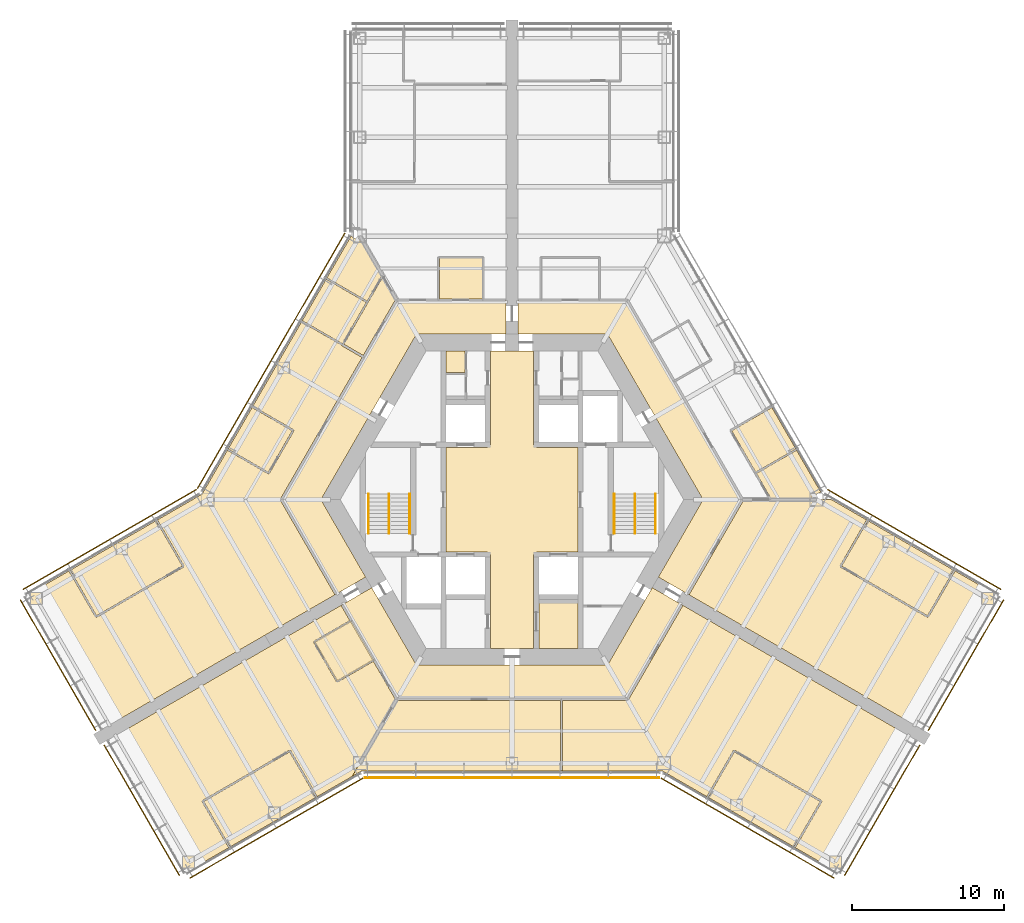
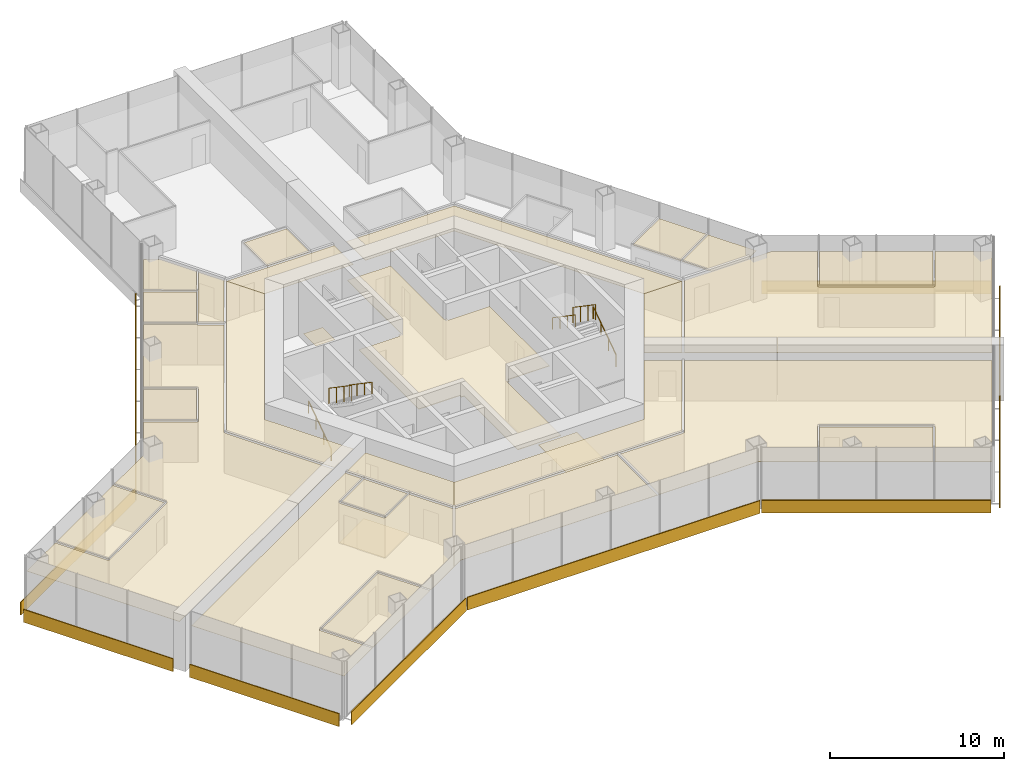
# One storey, part 17 of 18: 27 coverings, 10 shading devices, 6 railings.
"""IFC4 building model written with IfcOpenShell, lengths in metres."""

from ifc_helpers import new_model, si_unit, direction, frame, origin, origin_2d, place, context, subcontext, project, spatial, polyline, rectangle, circle, outline, extrude, material, layer, layer_set, type_object, element, save


model = new_model("IFC4")

# Units and contexts
model_context = context("Model", 3, precision=1e-05, world=origin(), true_north=direction((0.0, 1.0)))
body_context = subcontext(model_context, "Body", "Model", "MODEL_VIEW")
ifc_project = project(units=[si_unit("LENGTHUNIT", "METRE"), si_unit("AREAUNIT", "SQUARE_METRE"), si_unit("VOLUMEUNIT", "CUBIC_METRE"), si_unit("PLANEANGLEUNIT", "RADIAN"), si_unit("MASSUNIT", "GRAM", prefix="KILO")], contexts=[model_context])

# Site, building, storey
site_placement = place(None, origin())
site = spatial("IfcSite", under=ifc_project, at=site_placement, CompositionType="ELEMENT")
building_placement = place(site_placement, origin())
building = spatial("IfcBuilding", under=site, at=building_placement, Name="Kasaneha Research Tower", CompositionType="ELEMENT")
storey_placement = place(building_placement, frame((0.0, 0.0, 61.199951171875)))
storey = spatial("IfcBuildingStorey", under=building, at=storey_placement, Name="L15", CompositionType="ELEMENT", Elevation=61.199951171875)

# Covering
ifc_material_1 = material(Name="Aluminium panel ceiling", Category="aluminium")
ifc_layer_1 = layer(ifc_material_1, 0.0400390625)
ifc_layer_set_1 = layer_set([ifc_layer_1], Name="Lift lobby ceiling 40")
covering_type_1 = type_object("IfcCoveringType", Name="Lift lobby ceiling 40", PredefinedType="CEILING", material=ifc_layer_set_1)
covering_1_placement = place(storey_placement, frame((0.0, 0.0, 2.699951171875)))
element("IfcCovering", 1, at=covering_1_placement, inside=storey, type_object=covering_type_1, Name="Ceiling L15-01", PredefinedType="CEILING", context=body_context, shape_type="SweptSolid", body=[
    extrude(outline(polyline([(1.425048828125, 9.77490234375), (1.425048828125, 3.60009765625), (1.60009765625, 3.60009765625), (1.60009765625, 3.425048828125), (4.324951171875, 3.425048828125), (4.324951171875, -3.425048828125), (1.60009765625, -3.425048828125), (1.60009765625, -3.60009765625), (1.425048828125, -3.60009765625), (1.425048828125, -9.77490234375), (-1.425048828125, -9.77490234375), (-1.425048828125, -3.60009765625), (-1.60009765625, -3.60009765625), (-1.60009765625, -3.425048828125), (-4.324951171875, -3.425048828125), (-4.324951171875, 3.425048828125), (-1.60009765625, 3.425048828125), (-1.60009765625, 3.60009765625), (-1.425048828125, 3.60009765625), (-1.425048828125, 9.77490234375), (1.425048828125, 9.77490234375)])), origin(), (0.0, 0.0, 1.0), 0.0400390625),
])

# Railings
ifc_material_2 = material(Name="Steel", Category="steel")
railing_type_1 = type_object("IfcRailingType", Name="Stair balustrade 1100", PredefinedType="GUARDRAIL", material=ifc_material_2)
for number, where, name in (
    (2, (8.074951171875, 0.375, 2.12744140625), "Stair 1 balustrade L15"),
    (3, (-8.074951171875, 0.375, 2.12744140625), "Stair 2 balustrade L15"),
):
    element("IfcRailing", number, at=place(storey_placement, frame(where)), inside=storey, type_object=railing_type_1, Name=name, PredefinedType="GUARDRAIL", context=body_context, shape_type="SweptSolid", body=[
        extrude(circle(Radius=0.02392578125, at=origin_2d()), frame((0.0, 0.0, 1.076171875), z_axis=(0.0, -0.826240473404, 0.563317565952), x_axis=(1.0, 0.0, 0.0)), (0.0, 0.0, 1.0), 3.14697265625),
        extrude(circle(Radius=0.02099609375, at=origin_2d()), origin(), (0.0, 0.0, 1.0), 1.052001953125),
        extrude(circle(Radius=0.02099609375, at=origin_2d()), frame((0.0, -0.86669921875, 0.5908203125)), (0.0, 0.0, 1.0), 1.052001953125),
        extrude(circle(Radius=0.02099609375, at=origin_2d()), frame((0.0, -1.7333984375, 1.181884765625)), (0.0, 0.0, 1.0), 1.052001953125),
        extrude(circle(Radius=0.02099609375, at=origin_2d()), frame((0.0, -2.60009765625, 1.772705078125)), (0.0, 0.0, 1.0), 1.052001953125),
    ])
ifc_material_3 = material(Name="Steel", Category="steel")
railing_type_2 = type_object("IfcRailingType", Name="Stair handrail 850", PredefinedType="HANDRAIL", material=ifc_material_3)
railing_1_placement = place(storey_placement, frame((9.425048828125, -2.22509765625, 0.17724609375)))
element("IfcRailing", 4, at=railing_1_placement, inside=storey, type_object=railing_type_2, Name="Stair 1 handrail L15", PredefinedType="HANDRAIL", context=body_context, shape_type="SweptSolid", body=[
    extrude(circle(Radius=0.02392578125, at=origin_2d()), frame((0.0, 0.0, 0.826171875), z_axis=(0.0, 0.826240473404, 0.563317565952), x_axis=(-1.0, 0.0, 0.0)), (0.0, 0.0, 1.0), 3.14697265625),
    extrude(circle(Radius=0.02099609375, at=origin_2d()), origin(), (0.0, 0.0, 1.0), 0.802001953125),
    extrude(circle(Radius=0.02099609375, at=origin_2d()), frame((0.0, 0.86669921875, 0.5908203125)), (0.0, 0.0, 1.0), 0.802001953125),
    extrude(circle(Radius=0.02099609375, at=origin_2d()), frame((0.0, 1.7333984375, 1.181884765625)), (0.0, 0.0, 1.0), 0.802001953125),
    extrude(circle(Radius=0.02099609375, at=origin_2d()), frame((0.0, 2.60009765625, 1.772705078125)), (0.0, 0.0, 1.0), 0.802001953125),
])
railing_2_placement = place(storey_placement, frame((6.72509765625, 0.375, 2.12744140625)))
element("IfcRailing", 5, at=railing_2_placement, inside=storey, type_object=railing_type_2, Name="Stair 1 handrail L15", PredefinedType="HANDRAIL", context=body_context, shape_type="SweptSolid", body=[
    extrude(circle(Radius=0.02392578125, at=origin_2d()), frame((0.0, 0.0, 0.826171875), z_axis=(0.0, -0.826240473404, 0.563317565952), x_axis=(1.0, 0.0, 0.0)), (0.0, 0.0, 1.0), 3.14697265625),
    extrude(circle(Radius=0.02099609375, at=origin_2d()), origin(), (0.0, 0.0, 1.0), 0.802001953125),
    extrude(circle(Radius=0.02099609375, at=origin_2d()), frame((0.0, -0.86669921875, 0.5908203125)), (0.0, 0.0, 1.0), 0.802001953125),
    extrude(circle(Radius=0.02099609375, at=origin_2d()), frame((0.0, -1.7333984375, 1.181884765625)), (0.0, 0.0, 1.0), 0.802001953125),
    extrude(circle(Radius=0.02099609375, at=origin_2d()), frame((0.0, -2.60009765625, 1.772705078125)), (0.0, 0.0, 1.0), 0.802001953125),
])
railing_3_placement = place(storey_placement, frame((-9.425048828125, -2.22509765625, 0.17724609375)))
element("IfcRailing", 6, at=railing_3_placement, inside=storey, type_object=railing_type_2, Name="Stair 2 handrail L15", PredefinedType="HANDRAIL", context=body_context, shape_type="SweptSolid", body=[
    extrude(circle(Radius=0.02392578125, at=origin_2d()), frame((0.0, 0.0, 0.826171875), z_axis=(0.0, 0.826240473404, 0.563317565952), x_axis=(-1.0, 0.0, 0.0)), (0.0, 0.0, 1.0), 3.14697265625),
    extrude(circle(Radius=0.02099609375, at=origin_2d()), origin(), (0.0, 0.0, 1.0), 0.802001953125),
    extrude(circle(Radius=0.02099609375, at=origin_2d()), frame((0.0, 0.86669921875, 0.5908203125)), (0.0, 0.0, 1.0), 0.802001953125),
    extrude(circle(Radius=0.02099609375, at=origin_2d()), frame((0.0, 1.7333984375, 1.181884765625)), (0.0, 0.0, 1.0), 0.802001953125),
    extrude(circle(Radius=0.02099609375, at=origin_2d()), frame((0.0, 2.60009765625, 1.772705078125)), (0.0, 0.0, 1.0), 0.802001953125),
])
railing_4_placement = place(storey_placement, frame((-6.72509765625, 0.375, 2.12744140625)))
element("IfcRailing", 7, at=railing_4_placement, inside=storey, type_object=railing_type_2, Name="Stair 2 handrail L15", PredefinedType="HANDRAIL", context=body_context, shape_type="SweptSolid", body=[
    extrude(circle(Radius=0.02392578125, at=origin_2d()), frame((0.0, 0.0, 0.826171875), z_axis=(0.0, -0.826240473404, 0.563317565952), x_axis=(1.0, 0.0, 0.0)), (0.0, 0.0, 1.0), 3.14697265625),
    extrude(circle(Radius=0.02099609375, at=origin_2d()), origin(), (0.0, 0.0, 1.0), 0.802001953125),
    extrude(circle(Radius=0.02099609375, at=origin_2d()), frame((0.0, -0.86669921875, 0.5908203125)), (0.0, 0.0, 1.0), 0.802001953125),
    extrude(circle(Radius=0.02099609375, at=origin_2d()), frame((0.0, -1.7333984375, 1.181884765625)), (0.0, 0.0, 1.0), 0.802001953125),
    extrude(circle(Radius=0.02099609375, at=origin_2d()), frame((0.0, -2.60009765625, 1.772705078125)), (0.0, 0.0, 1.0), 0.802001953125),
])

# Coverings
ifc_material_4 = material(Name="Gypsum ceiling board", Category="gypsum")
ifc_layer_2 = layer(ifc_material_4, 0.02001953125)
ifc_layer_set_2 = layer_set([ifc_layer_2], Name="Suspended ceiling 20")
covering_type_2 = type_object("IfcCoveringType", Name="Suspended ceiling 20", PredefinedType="CEILING", material=ifc_layer_set_2)
covering_2_placement = place(storey_placement, frame((0.0, 0.0, 2.800048828125)))
element("IfcCovering", 8, at=covering_2_placement, inside=storey, type_object=covering_type_2, Name="Ceiling L15-27", PredefinedType="CEILING", context=body_context, shape_type="SweptSolid", body=[
    extrude(outline(polyline([(6.278564453125, 10.875), (0.39990234375, 10.875), (0.39990234375, 11.72509765625), (0.39990234375, 12.72509765625), (0.39990234375, 13.125), (0.419921875, 13.125), (0.419921875, 13.050048828125), (1.89501953125, 13.050048828125), (1.904541015625, 13.050048828125), (5.75244140625, 13.050048828125), (5.761962890625, 13.050048828125), (7.534423828125, 13.050048828125), (9.103759765625, 10.33154296875), (9.103759765625, 10.33154296875), (10.599365234375, 7.7412109375), (10.599365234375, 7.7412109375), (15.06884765625, 0.0), (12.557373046875, 0.0), (6.278564453125, 10.875)])), origin(), (0.0, 0.0, 1.0), 0.02001953125),
])
covering_3_placement = place(storey_placement, frame((0.0, 0.0, 2.800048828125)))
element("IfcCovering", 9, at=covering_3_placement, inside=storey, type_object=covering_type_2, Name="Ceiling L15-32", PredefinedType="CEILING", context=body_context, shape_type="SweptSolid", body=[
    extrude(outline(polyline([(18.679443359375, 3.287353515625), (18.662109375, 3.27734375), (18.63720703125, 3.320556640625), (16.0146484375, 1.812255859375), (14.43994140625, 4.530517578125), (17.081298828125, 6.055419921875), (17.05615234375, 6.098876953125), (17.05615234375, 6.098876953125), (18.679443359375, 3.287353515625)])), origin(), (0.0, 0.0, 1.0), 0.02001953125),
])
covering_4_placement = place(storey_placement, frame((0.0, 0.0, 2.800048828125)))
element("IfcCovering", 10, at=covering_4_placement, inside=storey, type_object=covering_type_2, Name="Ceiling L15-33", PredefinedType="CEILING", context=body_context, shape_type="SweptSolid", body=[
    extrude(outline(polyline([(20.28759765625, 0.501708984375), (19.41845703125, 0.0), (16.997802734375, 0.0), (16.986328125, 0.02001953125), (17.029541015625, 0.044921875), (16.064697265625, 1.7255859375), (18.68701171875, 3.23388671875), (18.662109375, 3.27734375), (18.679443359375, 3.287353515625), (20.28759765625, 0.501708984375)])), origin(), (0.0, 0.0, 1.0), 0.02001953125),
])
covering_5_placement = place(storey_placement, frame((0.0, 0.0, 2.800048828125)))
element("IfcCovering", 11, at=covering_5_placement, inside=storey, type_object=covering_type_2, Name="Ceiling L15-35", PredefinedType="CEILING", context=body_context, shape_type="SweptSolid", body=[
    extrude(outline(polyline([(-0.39990234375, 11.72509765625), (-0.39990234375, 10.875), (-6.278564453125, 10.875), (-7.534423828125, 13.050048828125), (-4.833984375, 13.050048828125), (-4.824462890625, 13.050048828125), (-1.904541015625, 13.050048828125), (-1.89501953125, 13.050048828125), (-0.419921875, 13.050048828125), (-0.419921875, 13.125), (-0.39990234375, 13.125), (-0.39990234375, 12.72509765625), (-0.39990234375, 11.72509765625)])), origin(), (0.0, 0.0, 1.0), 0.02001953125),
])
covering_6_placement = place(storey_placement, frame((0.0, 0.0, 2.800048828125)))
element("IfcCovering", 12, at=covering_6_placement, inside=storey, type_object=covering_type_2, Name="Ceiling L15-36", PredefinedType="CEILING", context=body_context, shape_type="SweptSolid", body=[
    extrude(outline(polyline([(-4.77880859375, 15.875), (-1.9501953125, 15.875), (-1.954345703125, 13.199951171875), (-4.774658203125, 13.199951171875), (-4.77880859375, 15.875)])), origin(), (0.0, 0.0, 1.0), 0.02001953125),
])
covering_7_placement = place(storey_placement, frame((0.0, 0.0, 2.800048828125)))
element("IfcCovering", 13, at=covering_7_placement, inside=storey, type_object=covering_type_2, Name="Ceiling L15-40", PredefinedType="CEILING", context=body_context, shape_type="SweptSolid", body=[
    extrude(outline(polyline([(-12.557373046875, 0.0), (-9.617919921875, -5.091064453125), (-11.566650390625, -6.216064453125), (-11.57666015625, -6.19873046875), (-11.51171875, -6.161376953125), (-15.06884765625, 0.0), (-9.676025390625, 9.3408203125), (-9.676025390625, 9.3408203125), (-7.534423828125, 13.050048828125), (-7.534423828125, 13.050048828125), (-6.278564453125, 10.875), (-12.557373046875, 0.0)])), origin(), (0.0, 0.0, 1.0), 0.02001953125),
])
covering_8_placement = place(storey_placement, frame((0.0, 0.0, 2.800048828125)))
element("IfcCovering", 14, at=covering_8_placement, inside=storey, type_object=covering_type_2, Name="Ceiling L15-41", PredefinedType="CEILING", context=body_context, shape_type="SweptSolid", body=[
    extrude(outline(polyline([(-23.34228515625, -1.352294921875), (-23.332275390625, -1.36962890625), (-23.37548828125, -1.39453125), (-21.660400390625, -4.364990234375), (-27.306640625, -7.625), (-29.03173828125, -4.63720703125), (-23.34228515625, -1.352294921875)])), origin(), (0.0, 0.0, 1.0), 0.02001953125),
])
covering_9_placement = place(storey_placement, frame((0.0, 0.0, 2.800048828125)))
element("IfcCovering", 15, at=covering_9_placement, inside=storey, type_object=covering_type_2, Name="Ceiling L15-42", PredefinedType="CEILING", context=body_context, shape_type="SweptSolid", body=[
    extrude(outline(polyline([(-12.211669921875, 14.489990234375), (-9.57666015625, 12.962890625), (-11.14501953125, 10.246337890625), (-13.767578125, 11.755126953125), (-13.79248046875, 11.711669921875), (-13.809814453125, 11.7216796875), (-12.211669921875, 14.489990234375)])), origin(), (0.0, 0.0, 1.0), 0.02001953125),
])
covering_10_placement = place(storey_placement, frame((0.0, 0.0, 2.800048828125)))
element("IfcCovering", 16, at=covering_10_placement, inside=storey, type_object=covering_type_2, Name="Ceiling L15-43", PredefinedType="CEILING", context=body_context, shape_type="SweptSolid", body=[
    extrude(outline(polyline([(-17.05615234375, 6.098876953125), (-17.05615234375, 6.098876953125), (-17.081298828125, 6.055419921875), (-14.439697265625, 4.530517578125), (-16.012939453125, 1.8056640625), (-18.63720703125, 3.320556640625), (-18.662109375, 3.27734375), (-18.679443359375, 3.287353515625), (-17.05615234375, 6.098876953125)])), origin(), (0.0, 0.0, 1.0), 0.02001953125),
])
covering_11_placement = place(storey_placement, frame((0.0, 0.0, 2.800048828125)))
element("IfcCovering", 17, at=covering_11_placement, inside=storey, type_object=covering_type_2, Name="Ceiling L15-44", PredefinedType="CEILING", context=body_context, shape_type="SweptSolid", body=[
    extrude(outline(polyline([(-10.578369140625, 17.318603515625), (-9.709228515625, 16.81689453125), (-8.498779296875, 14.720458984375), (-8.510498046875, 14.700439453125), (-8.5537109375, 14.7255859375), (-9.5263671875, 13.049560546875), (-12.16162109375, 14.576416015625), (-12.1865234375, 14.533203125), (-12.1865234375, 14.533203125), (-10.578369140625, 17.318603515625)])), origin(), (0.0, 0.0, 1.0), 0.02001953125),
])
covering_12_placement = place(storey_placement, frame((0.0, 0.0, 2.800048828125)))
element("IfcCovering", 18, at=covering_12_placement, inside=storey, type_object=covering_type_2, Name="Ceiling L15-45", PredefinedType="CEILING", context=body_context, shape_type="SweptSolid", body=[
    extrude(outline(polyline([(-15.15576171875, -0.000244140625), (-15.220458984375, -0.03759765625), (-11.6416015625, -6.236328125), (-11.576904296875, -6.198974609375), (-11.567138671875, -6.21630859375), (-26.891357421875, -15.063720703125), (-31.94140625, -6.31689453125), (-29.118408203125, -4.68701171875), (-27.368408203125, -7.71826171875), (-27.3251953125, -7.693359375), (-27.324951171875, -7.693603515625), (-27.32470703125, -7.693603515625), (-27.300048828125, -7.736572265625), (-21.567138671875, -4.4267578125), (-21.592041015625, -4.3837890625), (-21.592041015625, -4.3837890625), (-21.592041015625, -4.38330078125), (-21.548828125, -4.3583984375), (-23.288818359375, -1.344482421875), (-23.331787109375, -1.369384765625), (-23.341796875, -1.35205078125), (-20.365966796875, 0.365966796875), (-18.6796875, 3.286865234375), (-18.662353515625, 3.27685546875), (-18.68701171875, 3.23388671875), (-16.019775390625, 1.694091796875), (-15.99462890625, 1.7373046875), (-15.994384765625, 1.737060546875), (-15.994384765625, 1.737060546875), (-15.951416015625, 1.71240234375), (-14.328125, 4.523681640625), (-14.37109375, 4.548583984375), (-14.37109375, 4.548828125), (-14.371337890625, 4.549072265625), (-14.346435546875, 4.592041015625), (-17.03125, 6.14208984375), (-17.055908203125, 6.09912109375), (-17.055908203125, 6.09912109375), (-13.81005859375, 11.72119140625), (-13.792724609375, 11.711181640625), (-13.8173828125, 11.66845703125), (-11.151611328125, 10.135009765625), (-11.166748046875, 10.10888671875), (-9.84814453125, 9.34228515625), (-15.220458984375, 0.03759765625), (-15.15576171875, 0.000244140625), (-15.156005859375, 0.0), (-15.15576171875, -0.000244140625)])), origin(), (0.0, 0.0, 1.0), 0.02001953125),
])
covering_13_placement = place(storey_placement, frame((0.0, 0.0, 2.800048828125)))
element("IfcCovering", 19, at=covering_13_placement, inside=storey, type_object=covering_type_2, Name="Ceiling L15-46", PredefinedType="CEILING", context=body_context, shape_type="SweptSolid", body=[
    extrude(outline(polyline([(-7.577880859375, 13.12548828125), (-7.589599609375, 13.105224609375), (-7.654296875, 13.142578125), (-9.773193359375, 9.472412109375), (-11.04833984375, 10.213623046875), (-9.462646484375, 12.96044921875), (-8.469970703125, 14.67041015625), (-7.577880859375, 13.12548828125)])), origin(), (0.0, 0.0, 1.0), 0.02001953125),
])
covering_14_placement = place(storey_placement, frame((0.0, 0.0, 2.800048828125)))
element("IfcCovering", 20, at=covering_14_placement, inside=storey, type_object=covering_type_2, Name="Ceiling L15-47", PredefinedType="CEILING", context=body_context, shape_type="SweptSolid", body=[
    extrude(outline(polyline([(-9.218017578125, -5.783935546875), (-6.278564453125, -10.875), (-7.534423828125, -13.050048828125), (-7.534423828125, -13.050048828125), (-9.00390625, -10.5048828125), (-9.00390625, -10.5048828125), (-10.49951171875, -7.91455078125), (-10.499267578125, -7.91455078125), (-11.091552734375, -6.888671875), (-11.156494140625, -6.92626953125), (-11.16650390625, -6.908935546875), (-10.85693359375, -6.72998046875), (-9.218017578125, -5.783935546875)])), origin(), (0.0, 0.0, 1.0), 0.02001953125),
])
covering_15_placement = place(storey_placement, frame((0.0, 0.0, 2.800048828125)))
element("IfcCovering", 21, at=covering_15_placement, inside=storey, type_object=covering_type_2, Name="Ceiling L15-48", PredefinedType="CEILING", context=body_context, shape_type="SweptSolid", body=[
    extrude(outline(polyline([(-18.574951171875, -22.8486328125), (-18.5849609375, -22.831298828125), (-18.541748046875, -22.806396484375), (-20.256591796875, -19.835693359375), (-14.610595703125, -16.575927734375), (-12.885498046875, -19.563720703125), (-12.84228515625, -19.538818359375), (-12.84228515625, -19.538818359375), (-18.574951171875, -22.8486328125)])), origin(), (0.0, 0.0, 1.0), 0.02001953125),
])
covering_16_placement = place(storey_placement, frame((0.0, 0.0, 2.800048828125)))
element("IfcCovering", 22, at=covering_16_placement, inside=storey, type_object=covering_type_2, Name="Ceiling L15-49", PredefinedType="CEILING", context=body_context, shape_type="SweptSolid", body=[
    extrude(outline(polyline([(-12.923095703125, -9.366455078125), (-10.604248046875, -8.03271484375), (-9.15869140625, -10.53662109375), (-11.47314453125, -11.8779296875), (-12.923095703125, -9.366455078125)])), origin(), (0.0, 0.0, 1.0), 0.02001953125),
])
covering_17_placement = place(storey_placement, frame((0.0, 0.0, 2.800048828125)))
element("IfcCovering", 23, at=covering_17_placement, inside=storey, type_object=covering_type_2, Name="Ceiling L15-50", PredefinedType="CEILING", context=body_context, shape_type="SweptSolid", body=[
    extrude(outline(polyline([(-12.991943359375, -9.34814453125), (-12.991943359375, -9.348388671875), (-13.034912109375, -9.373046875), (-11.534912109375, -11.97119140625), (-11.491943359375, -11.946533203125), (-11.491943359375, -11.946533203125), (-11.491455078125, -11.9462890625), (-11.46630859375, -11.989501953125), (-9.108642578125, -10.623291015625), (-7.654296875, -13.142578125), (-7.589599609375, -13.105224609375), (-7.577880859375, -13.12548828125), (-10.5, -18.1865234375), (-12.841796875, -19.53857421875), (-12.841796875, -19.53857421875), (-12.798828125, -19.513916015625), (-14.548828125, -16.482666015625), (-14.59228515625, -16.5078125), (-14.6171875, -16.46435546875), (-20.35009765625, -19.774169921875), (-20.3251953125, -19.817138671875), (-20.325439453125, -19.817138671875), (-20.3251953125, -19.817626953125), (-20.368408203125, -19.842529296875), (-18.62841796875, -22.856201171875), (-18.58544921875, -22.83154296875), (-18.575439453125, -22.848876953125), (-21.44140625, -24.50341796875), (-26.491455078125, -15.756591796875), (-15.541259765625, -9.4345703125), (-11.1669921875, -6.9091796875), (-11.156982421875, -6.926513671875), (-11.221435546875, -6.963623046875), (-10.654296875, -7.946044921875), (-13.016357421875, -9.3046875), (-12.99169921875, -9.347900390625), (-12.991943359375, -9.34814453125)])), origin(), (0.0, 0.0, 1.0), 0.02001953125),
])
covering_18_placement = place(storey_placement, frame((0.0, 0.0, 2.800048828125)))
element("IfcCovering", 24, at=covering_18_placement, inside=storey, type_object=covering_type_2, Name="Ceiling L15-51", PredefinedType="CEILING", context=body_context, shape_type="SweptSolid", body=[
    extrude(outline(polyline([(15.06884765625, 0.0), (15.06884765625, 0.0), (11.51171875, -6.161376953125), (11.57666015625, -6.19873046875), (11.566650390625, -6.216064453125), (9.617919921875, -5.091064453125), (12.557373046875, 0.0), (15.06884765625, 0.0)])), origin(), (0.0, 0.0, 1.0), 0.02001953125),
])
covering_19_placement = place(storey_placement, frame((0.0, 0.0, 2.800048828125)))
element("IfcCovering", 25, at=covering_19_placement, inside=storey, type_object=covering_type_2, Name="Ceiling L15-52", PredefinedType="CEILING", context=body_context, shape_type="SweptSolid", body=[
    extrude(outline(polyline([(29.03173828125, -4.63720703125), (27.306640625, -7.625), (21.660400390625, -4.364990234375), (23.37548828125, -1.39453125), (23.332275390625, -1.36962890625), (23.34228515625, -1.352294921875), (29.03173828125, -4.63720703125)])), origin(), (0.0, 0.0, 1.0), 0.02001953125),
])
covering_20_placement = place(storey_placement, frame((0.0, 0.0, 2.800048828125)))
element("IfcCovering", 26, at=covering_20_placement, inside=storey, type_object=covering_type_2, Name="Ceiling L15-53", PredefinedType="CEILING", context=body_context, shape_type="SweptSolid", body=[
    extrude(outline(polyline([(16.93994140625, 0.0), (16.94287109375, -0.0048828125), (16.951416015625, 0.0), (21.0, 0.0), (23.341796875, -1.35205078125), (23.331787109375, -1.369384765625), (23.288818359375, -1.344482421875), (21.548828125, -4.3583984375), (21.592041015625, -4.38330078125), (21.591796875, -4.3837890625), (21.592041015625, -4.3837890625), (21.567138671875, -4.4267578125), (27.300048828125, -7.736572265625), (27.324951171875, -7.693115234375), (27.368408203125, -7.71826171875), (29.118408203125, -4.68701171875), (31.94140625, -6.31689453125), (26.891357421875, -15.063720703125), (11.567138671875, -6.21630859375), (11.576904296875, -6.198974609375), (11.6416015625, -6.236328125), (15.208740234375, -0.0576171875), (15.144287109375, -0.020263671875), (15.156005859375, 0.0), (16.93994140625, 0.0)])), origin(), (0.0, 0.0, 1.0), 0.02001953125),
])
covering_21_placement = place(storey_placement, frame((0.0, 0.0, 2.800048828125)))
element("IfcCovering", 27, at=covering_21_placement, inside=storey, type_object=covering_type_2, Name="Ceiling L15-54", PredefinedType="CEILING", context=body_context, shape_type="SweptSolid", body=[
    extrude(outline(polyline([(-6.278564453125, -10.875), (6.278564453125, -10.875), (9.218017578125, -5.783935546875), (10.85693359375, -6.72998046875), (11.16650390625, -6.908935546875), (11.156494140625, -6.92626953125), (11.091552734375, -6.888671875), (7.534423828125, -13.050048828125), (3.25146484375, -13.050048828125), (3.241455078125, -13.050048828125), (-7.534423828125, -13.050048828125), (-6.278564453125, -10.875)])), origin(), (0.0, 0.0, 1.0), 0.02001953125),
])
covering_22_placement = place(storey_placement, frame((0.0, 0.0, 2.800048828125)))
element("IfcCovering", 28, at=covering_22_placement, inside=storey, type_object=covering_type_2, Name="Ceiling L15-55", PredefinedType="CEILING", context=body_context, shape_type="SweptSolid", body=[
    extrude(outline(polyline([(12.84228515625, -19.538818359375), (12.84228515625, -19.538818359375), (12.885498046875, -19.563720703125), (14.610595703125, -16.575927734375), (20.256591796875, -19.835693359375), (18.541748046875, -22.806396484375), (18.5849609375, -22.831298828125), (18.574951171875, -22.8486328125), (12.84228515625, -19.538818359375)])), origin(), (0.0, 0.0, 1.0), 0.02001953125),
])
covering_23_placement = place(storey_placement, frame((0.0, 0.0, 2.800048828125)))
element("IfcCovering", 29, at=covering_23_placement, inside=storey, type_object=covering_type_2, Name="Ceiling L15-56", PredefinedType="CEILING", context=body_context, shape_type="SweptSolid", body=[
    extrude(outline(polyline([(7.578125, -13.125244140625), (7.642578125, -13.16259765625), (11.221435546875, -6.963623046875), (11.156982421875, -6.926513671875), (11.1669921875, -6.9091796875), (15.541259765625, -9.4345703125), (26.491455078125, -15.756591796875), (21.44140625, -24.50341796875), (18.575439453125, -22.848876953125), (18.58544921875, -22.83154296875), (18.62841796875, -22.856201171875), (20.368408203125, -19.842529296875), (20.3251953125, -19.817626953125), (20.325439453125, -19.817138671875), (20.3251953125, -19.817138671875), (20.35009765625, -19.774169921875), (14.6171875, -16.46435546875), (14.592529296875, -16.50732421875), (14.59228515625, -16.50732421875), (14.592041015625, -16.507568359375), (14.548828125, -16.482666015625), (12.798828125, -19.513916015625), (12.841796875, -19.53857421875), (12.841796875, -19.53857421875), (9.865966796875, -17.820556640625), (3.246337890625, -17.820556640625), (3.246337890625, -17.800537109375), (3.3212890625, -17.800537109375), (3.326416015625, -13.199951171875), (7.57763671875, -13.199951171875), (7.57763671875, -13.12548828125), (7.578125, -13.12548828125), (7.578125, -13.125244140625)])), origin(), (0.0, 0.0, 1.0), 0.02001953125),
])
covering_24_placement = place(storey_placement, frame((0.0, 0.0, 2.800048828125)))
element("IfcCovering", 30, at=covering_24_placement, inside=storey, type_object=covering_type_2, Name="Ceiling L15-57", PredefinedType="CEILING", context=body_context, shape_type="SweptSolid", body=[
    extrude(outline(polyline([(-7.577880859375, -13.12548828125), (-7.5546875, -13.12548828125), (-7.5546875, -13.199951171875), (3.17626953125, -13.199951171875), (3.17138671875, -17.800537109375), (3.246337890625, -17.800537109375), (3.246337890625, -17.820556640625), (-9.865966796875, -17.820556640625), (-10.5, -18.1865234375), (-7.577880859375, -13.12548828125)])), origin(), (0.0, 0.0, 1.0), 0.02001953125),
])

# Shading devices
ifc_material_5 = material(Name="Terracotta", Category="masonry")
ifc_layer_3 = layer(ifc_material_5, 0.06005859375)
ifc_layer_set_3 = layer_set([ifc_layer_3], Name="Terracotta baguette screen")
shading_device_type = type_object("IfcShadingDeviceType", Name="Terracotta baguette screen", PredefinedType="USERDEFINED", material=ifc_layer_set_3)
shading_device_1_placement = place(storey_placement, frame((-15.483642578125, -21.58349609375, -0.449951171875), z_axis=(0.0, 0.0, 1.0), x_axis=(0.866025411464, 0.499999986699, 0.0)))
element("IfcShadingDevice", 31, at=shading_device_1_placement, inside=storey, type_object=shading_device_type, Name="Baguette screen L15 01", ObjectType="TERRACOTTA BAGUETTE SCREEN", PredefinedType="USERDEFINED", context=body_context, shape_type="SweptSolid", body=[
    extrude(rectangle(XDim=13.13916015625, YDim=0.06005859375, at=origin_2d()), origin(), (0.0, 0.0, 1.0), 0.89990234375),
])
shading_device_2_placement = place(storey_placement, frame((0.0, -18.2705078125, -0.449951171875), z_axis=(0.0, 0.0, 1.0), x_axis=(1.0, 0.0, 0.0)))
element("IfcShadingDevice", 32, at=shading_device_2_placement, inside=storey, type_object=shading_device_type, Name="Baguette screen L15 02", ObjectType="TERRACOTTA BAGUETTE SCREEN", PredefinedType="USERDEFINED", context=body_context, shape_type="SweptSolid", body=[
    extrude(rectangle(XDim=19.37841796875, YDim=0.06005859375, at=origin_2d()), origin(), (0.0, 0.0, 1.0), 0.89990234375),
])
shading_device_3_placement = place(storey_placement, frame((15.483642578125, -21.58349609375, -0.449951171875), z_axis=(0.0, 0.0, 1.0), x_axis=(0.866025411464, -0.499999986699, 0.0)))
element("IfcShadingDevice", 33, at=shading_device_3_placement, inside=storey, type_object=shading_device_type, Name="Baguette screen L15 03", ObjectType="TERRACOTTA BAGUETTE SCREEN", PredefinedType="USERDEFINED", context=body_context, shape_type="SweptSolid", body=[
    extrude(rectangle(XDim=13.13916015625, YDim=0.06005859375, at=origin_2d()), origin(), (0.0, 0.0, 1.0), 0.89990234375),
])
for number, where, z_axis, x_axis, name in (
    (34, (24.3310546875, -20.3984375, -0.449951171875), (0.0, 0.0, 1.0), (0.500000011442, 0.866025397178, 0.0), "Baguette screen L15 04"),
    (35, (29.8310546875, -10.8720703125, -0.449951171875), (0.0, 0.0, 1.0), (0.500000011442, 0.866025397178, 0.0), "Baguette screen L15 05"),
):
    element("IfcShadingDevice", number, at=place(storey_placement, frame(where, z_axis=z_axis, x_axis=x_axis)), inside=storey, type_object=shading_device_type, Name=name, ObjectType="TERRACOTTA BAGUETTE SCREEN", PredefinedType="USERDEFINED", context=body_context, shape_type="SweptSolid", body=[
        extrude(rectangle(XDim=9.89990234375, YDim=0.06005859375, at=origin_2d()), origin(), (0.0, 0.0, 1.0), 0.89990234375),
    ])
shading_device_4_placement = place(storey_placement, frame((26.43359375, -2.617431640625, -0.449951171875), z_axis=(0.0, 0.0, 1.0), x_axis=(-0.866025411464, 0.499999986699, 0.0)))
element("IfcShadingDevice", 36, at=shading_device_4_placement, inside=storey, type_object=shading_device_type, Name="Baguette screen L15 06", ObjectType="TERRACOTTA BAGUETTE SCREEN", PredefinedType="USERDEFINED", context=body_context, shape_type="SweptSolid", body=[
    extrude(rectangle(XDim=13.13916015625, YDim=0.06005859375, at=origin_2d()), origin(), (0.0, 0.0, 1.0), 0.89990234375),
])
shading_device_5_placement = place(storey_placement, frame((-15.82275390625, 9.13525390625, -0.449951171875), z_axis=(0.0, 0.0, 1.0), x_axis=(-0.49999996188, -0.866025425793, 0.0)))
element("IfcShadingDevice", 37, at=shading_device_5_placement, inside=storey, type_object=shading_device_type, Name="Baguette screen L15 12", ObjectType="TERRACOTTA BAGUETTE SCREEN", PredefinedType="USERDEFINED", context=body_context, shape_type="SweptSolid", body=[
    extrude(rectangle(XDim=19.37841796875, YDim=0.06005859375, at=origin_2d()), origin(), (0.0, 0.0, 1.0), 0.89990234375),
])
shading_device_6_placement = place(storey_placement, frame((-26.43359375, -2.617431640625, -0.449951171875), z_axis=(0.0, 0.0, 1.0), x_axis=(-0.866025411464, -0.499999986699, 0.0)))
element("IfcShadingDevice", 38, at=shading_device_6_placement, inside=storey, type_object=shading_device_type, Name="Baguette screen L15 13", ObjectType="TERRACOTTA BAGUETTE SCREEN", PredefinedType="USERDEFINED", context=body_context, shape_type="SweptSolid", body=[
    extrude(rectangle(XDim=13.13916015625, YDim=0.06005859375, at=origin_2d()), origin(), (0.0, 0.0, 1.0), 0.89990234375),
])
for number, where, z_axis, x_axis, name in (
    (39, (-29.8310546875, -10.8720703125, -0.449951171875), (0.0, 0.0, 1.0), (0.500000011442, -0.866025397178, 0.0), "Baguette screen L15 14"),
    (40, (-24.3310546875, -20.3984375, -0.449951171875), (0.0, 0.0, 1.0), (0.500000011442, -0.866025397178, 0.0), "Baguette screen L15 15"),
):
    element("IfcShadingDevice", number, at=place(storey_placement, frame(where, z_axis=z_axis, x_axis=x_axis)), inside=storey, type_object=shading_device_type, Name=name, ObjectType="TERRACOTTA BAGUETTE SCREEN", PredefinedType="USERDEFINED", context=body_context, shape_type="SweptSolid", body=[
        extrude(rectangle(XDim=9.89990234375, YDim=0.06005859375, at=origin_2d()), origin(), (0.0, 0.0, 1.0), 0.89990234375),
    ])

# Coverings
ifc_material_6 = material(Name="Vinyl sheet flooring", Category="plastic")
ifc_layer_4 = layer(ifc_material_6, 0.0048828125)
ifc_layer_set_4 = layer_set([ifc_layer_4], Name="Wet room sheet flooring 5")
covering_type_3 = type_object("IfcCoveringType", Name="Wet room sheet flooring 5", PredefinedType="FLOORING", material=ifc_layer_set_4)
covering_25_placement = place(storey_placement, origin())
element("IfcCovering", 41, at=covering_25_placement, inside=storey, type_object=covering_type_3, Name="Floor finish L15-07", PredefinedType="FLOORING", context=body_context, shape_type="SweptSolid", body=[
    extrude(outline(polyline([(-4.324951171875, 8.35498046875), (-4.324951171875, 9.77490234375), (-3.074951171875, 9.77490234375), (-3.074951171875, 8.35498046875), (-4.324951171875, 8.35498046875)])), origin(), (0.0, 0.0, 1.0), 0.005126953125),
])
covering_26_placement = place(storey_placement, origin())
element("IfcCovering", 42, at=covering_26_placement, inside=storey, type_object=covering_type_3, Name="Floor finish L15-13", PredefinedType="FLOORING", context=body_context, shape_type="SweptSolid", body=[
    extrude(outline(polyline([(1.77490234375, -9.77490234375), (1.77490234375, -6.574951171875), (4.324951171875, -6.574951171875), (4.324951171875, -9.77490234375), (1.77490234375, -9.77490234375)])), origin(), (0.0, 0.0, 1.0), 0.005126953125),
])
covering_27_placement = place(storey_placement, origin())
element("IfcCovering", 43, at=covering_27_placement, inside=storey, type_object=covering_type_3, Name="Floor finish L15-49", PredefinedType="FLOORING", context=body_context, shape_type="SweptSolid", body=[
    extrude(outline(polyline([(-11.491455078125, -11.9462890625), (-12.991455078125, -9.34814453125), (-10.566650390625, -7.9482421875), (-9.066650390625, -10.546142578125), (-11.491455078125, -11.9462890625)])), origin(), (0.0, 0.0, 1.0), 0.005126953125),
])

save(model, "model.ifc")
